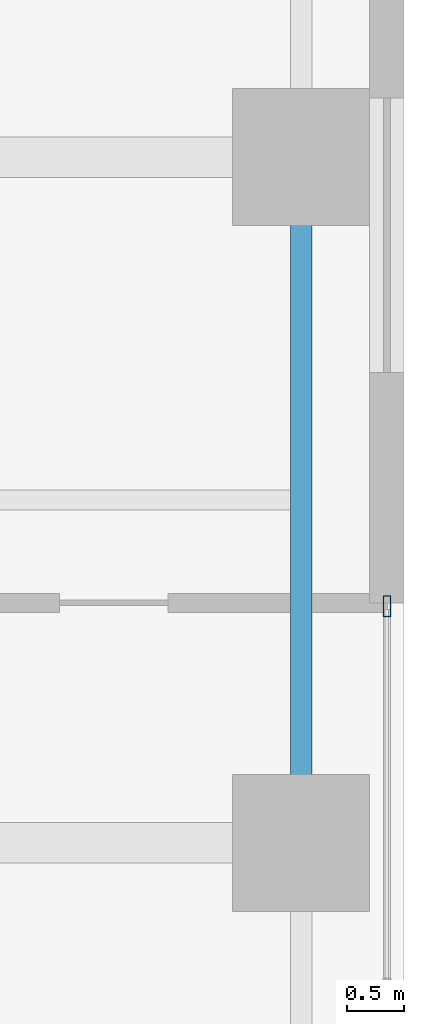
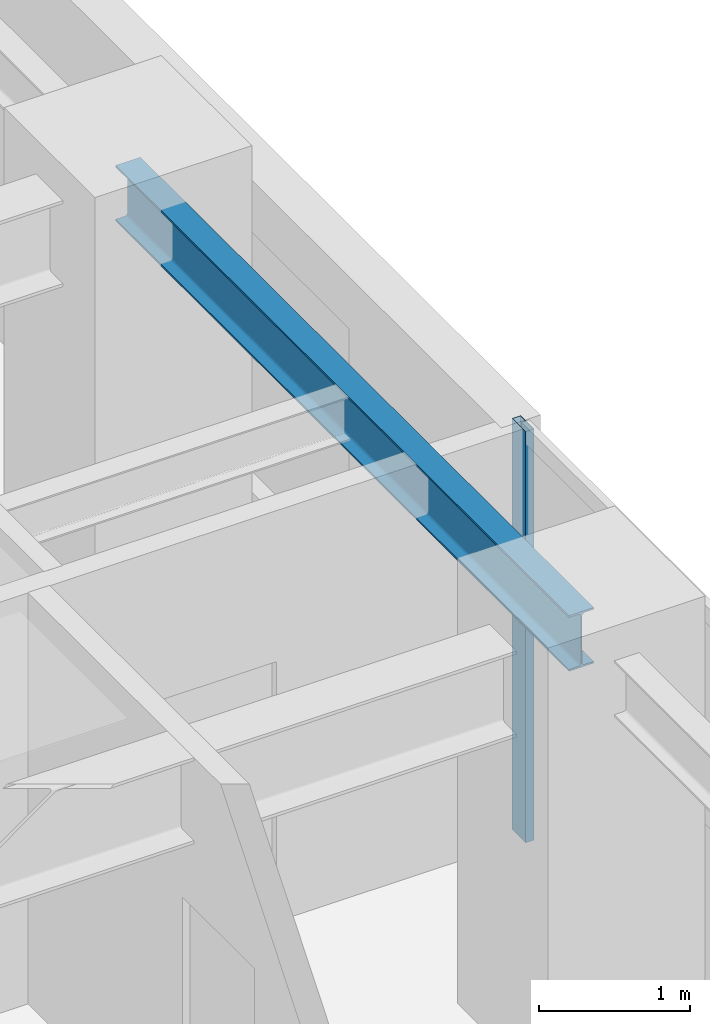
# One storey, part 9 of 19: 1 beam, 1 member, 1 element without a shape of its own.
"""IFC4 building model written with IfcOpenShell, lengths in metres."""

from ifc_helpers import new_model, si_unit, direction, frame, origin, origin_2d, place, context, subcontext, project, spatial, hollow_rectangle, i_section, extrude, source, transform, mapped, material, layer, layer_set, material_profile, profile_set, type_object, element, aggregate, save


model = new_model("IFC4")

# Units and contexts
model_context = context("Model", 3, precision=1e-05, world=origin(), true_north=direction((0.0, 1.0)))
body_context = subcontext(model_context, "Body", "Model", "MODEL_VIEW")
ifc_project = project(units=[si_unit("LENGTHUNIT", "METRE"), si_unit("AREAUNIT", "SQUARE_METRE"), si_unit("VOLUMEUNIT", "CUBIC_METRE"), si_unit("PLANEANGLEUNIT", "RADIAN"), si_unit("MASSUNIT", "GRAM", prefix="KILO")], contexts=[model_context])

# Site, building, storey
site_placement = place(None, origin())
site = spatial("IfcSite", under=ifc_project, at=site_placement, CompositionType="ELEMENT")
building_placement = place(site_placement, origin())
building = spatial("IfcBuilding", under=site, at=building_placement, Name="Khoralis Quay Care Tower", CompositionType="ELEMENT")
storey_placement = place(building_placement, frame((0.0, 0.0, 69.300048828125)))
storey = spatial("IfcBuildingStorey", under=building, at=storey_placement, Name="L18", CompositionType="ELEMENT", Elevation=69.300048828125)

# Beam
ifc_material_1 = material(Name="Steel S355", Category="steel")
ifc_material_profile_1 = material_profile(ifc_material_1, i_section(OverallWidth=0.18994140625, OverallDepth=0.449951171875, WebThickness=0.009521484375, FlangeThickness=0.0146484375, FilletRadius=0.02099609375, at=origin_2d()), Name="Steel S355")
ifc_profile_set_1 = profile_set([ifc_material_profile_1], Name="Steel S355")
beam_type = type_object("IfcBeamType", Name="BM-IPE450", PredefinedType="SPANDREL", material=ifc_profile_set_1)
shared_shape_1 = source(origin(), body_context, "Body", "SweptSolid", [
    extrude(i_section(OverallWidth=0.18994140625, OverallDepth=0.449951171875, WebThickness=0.009521484375, FlangeThickness=0.0146484375, FilletRadius=0.02099609375, at=origin_2d()), origin(), (0.0, 0.0, 1.0), 6.0),
])
beam_placement = place(storey_placement, frame((47.10009765625, 30.0, 3.094970703125), z_axis=(0.0, 1.0, 0.0), x_axis=(-1.0, 0.0, 0.0)))
element("IfcBeam", 1, at=beam_placement, inside=storey, type_object=beam_type, Name="BM-TSP-L18-23", PredefinedType="SPANDREL", context=body_context, shape_type="MappedRepresentation", body=[
    mapped(shared_shape_1, transform((0.0, 0.0, 0.0), scale=1.0)),
])

# Curtain wall, member
ifc_material_2 = material(Name="Pale anodised aluminium", Category="aluminium")
ifc_layer = layer(ifc_material_2, 0.179931640625)
ifc_layer_set = layer_set([ifc_layer], Name="Pale anodised aluminium")
curtain_wall_type = type_object("IfcCurtainWallType", Name="CW-SYS-Z1", PredefinedType="NOTDEFINED", material=ifc_layer_set)
curtain_wall_placement = place(storey_placement, origin())
curtain_wall = element("IfcCurtainWall", 2, at=curtain_wall_placement, inside=storey, type_object=curtain_wall_type, Name="L18 Unitised Curtain Wall CW-L18-P1-E5", PredefinedType="NOTDEFINED")
ifc_material_profile_2 = material_profile(ifc_material_2, hollow_rectangle(XDim=0.06494140625, YDim=0.179931640625, WallThickness=0.00390625, at=origin_2d()), Name="Pale anodised aluminium")
ifc_profile_set_2 = profile_set([ifc_material_profile_2], Name="Pale anodised aluminium")
member_type = type_object("IfcMemberType", Name="CW-MUL-180", PredefinedType="MULLION", material=ifc_profile_set_2)
shared_shape_2 = source(origin(), body_context, "Body", "SweptSolid", [
    extrude(hollow_rectangle(XDim=0.06494140625, YDim=0.179931640625, WallThickness=0.00390625, at=origin_2d()), origin(), (0.0, 0.0, 1.0), 3.320068359375),
])
member_placement = place(storey_placement, frame((47.85009765625, 32.070068359375, 0.0), z_axis=(0.0, 0.0, 1.0), x_axis=(-1.0, 0.0, 0.0)))
member = element("IfcMember", 3, at=member_placement, type_object=member_type, Name="CW1 mullion 5", PredefinedType="MULLION", context=body_context, shape_type="MappedRepresentation", body=[
    mapped(shared_shape_2, transform((0.0, 0.0, 0.0), scale=1.0)),
])
aggregate(curtain_wall, [member])

save(model, "model.ifc")
